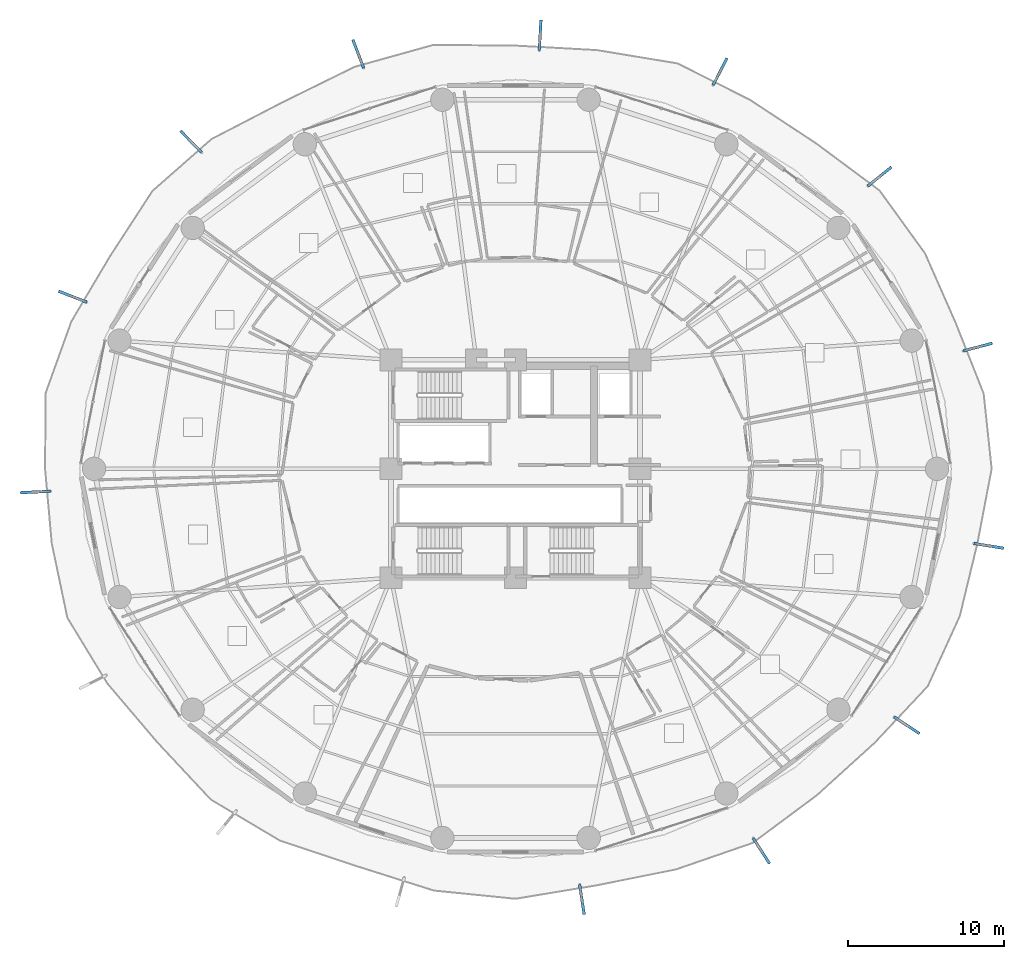
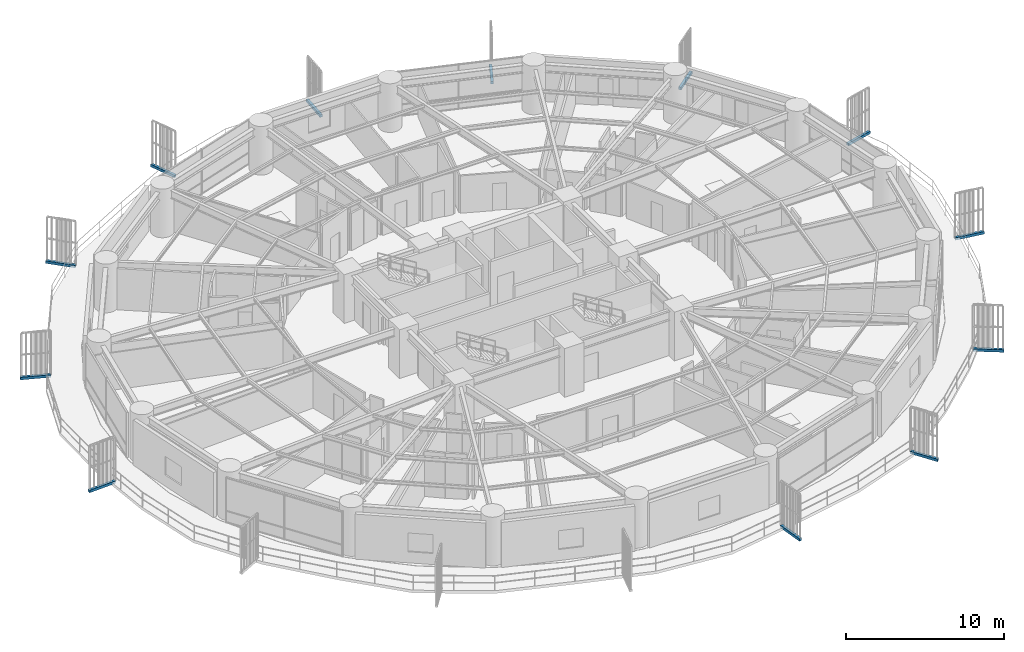
# One storey, part 28 of 33: 12 discrete accessories.
"""IFC4 building model written with IfcOpenShell, lengths in metres."""

import ifcopenshell
import ifcopenshell.guid

model = None  # the IFC model being written
_history = None  # IfcOwnerHistory: only IFC2X3 demands one
_inside = {}  # id of a spatial element -> (the spatial element, [elements in it])
_under = {}  # id of a project, library or spatial element -> (it, [spatial elements below it])
_declared = {}  # id of a project -> (the project, [libraries it declares])
_typed = {}  # id of a type object -> (the type object, [elements of that type])
_made_of = {}  # id of a material, layer set ... -> (it, [elements and type objects made of it])


def new_model(schema):
    """Start an empty IFC model of exactly this schema.

    Asked for "IFC4X3", IfcOpenShell would pick the latest addendum, in which some entities
    have other attributes; the version numbers below select the first issue.
    IFC2X3 requires an IfcOwnerHistory on every rooted entity: one is made here for all.
    """
    global model, _history
    if schema == "IFC4X3":
        model = ifcopenshell.file(schema_version=(4, 3, 0, 0))
    else:
        model = ifcopenshell.file(schema=schema)
    _inside.clear()
    _under.clear()
    _declared.clear()
    _typed.clear()
    _made_of.clear()
    _history = None
    if model.schema == "IFC2X3":
        org = make("IfcOrganization", Name="unknown")
        user = make(
            "IfcPersonAndOrganization",
            ThePerson=make("IfcPerson", FamilyName="unknown"),
            TheOrganization=org,
        )
        app = make(
            "IfcApplication",
            ApplicationDeveloper=org,
            Version="unknown",
            ApplicationFullName="unknown",
            ApplicationIdentifier="unknown",
        )
        _history = make(
            "IfcOwnerHistory",
            OwningUser=user,
            OwningApplication=app,
            ChangeAction="ADDED",
            CreationDate=0,
        )
    return model


def make(cls, **values):
    """One entity of the class cls with the attributes given. An attribute that is None is left unset."""
    return model.create_entity(
        cls, **{name: value for name, value in values.items() if value is not None}
    )


def rooted(cls, **values):
    """An entity with a GlobalId (a new one), such as an element, a storey or a relation."""
    return make(cls, GlobalId=ifcopenshell.guid.new(), OwnerHistory=_history, **values)


def si_unit(unit_type, name, prefix=None):
    """IfcSIUnit, for example si_unit("LENGTHUNIT", "METRE", prefix="MILLI")."""
    return make("IfcSIUnit", UnitType=unit_type, Prefix=prefix, Name=name)


def assignment(units):
    """IfcUnitAssignment: the units of a project."""
    return None if units is None else make("IfcUnitAssignment", Units=units)


def point(xyz):
    """IfcCartesianPoint."""
    return None if xyz is None else make("IfcCartesianPoint", Coordinates=xyz)


def direction(xyz):
    """IfcDirection."""
    return None if xyz is None else make("IfcDirection", DirectionRatios=xyz)


def frame(location, z_axis=None, x_axis=None):
    """IfcAxis2Placement3D, a coordinate frame: its origin and axes. An axis left out is left unset."""
    return make(
        "IfcAxis2Placement3D",
        Location=point(location),
        Axis=direction(z_axis),
        RefDirection=direction(x_axis),
    )


def frame_2d(location, x_axis=None):
    """IfcAxis2Placement2D, a coordinate frame in the plane: its origin and x axis."""
    return make(
        "IfcAxis2Placement2D", Location=point(location), RefDirection=direction(x_axis)
    )


def origin():
    """The frame at (0, 0, 0) with its axes left unset."""
    return frame((0.0, 0.0, 0.0))


def origin_2d():
    """The frame at (0, 0) in the plane with its x axis left unset."""
    return frame_2d((0.0, 0.0))


def place(relative_to, where):
    """IfcLocalPlacement: puts the frame where relative to a parent placement (None: the world)."""
    return make(
        "IfcLocalPlacement", PlacementRelTo=relative_to, RelativePlacement=where
    )


def context(
    kind, dimensions, precision=None, world=None, true_north=None, identifier=None
):
    """IfcGeometricRepresentationContext, for example the 3D "Model" context."""
    return make(
        "IfcGeometricRepresentationContext",
        ContextIdentifier=identifier,
        ContextType=kind,
        CoordinateSpaceDimension=dimensions,
        Precision=precision,
        WorldCoordinateSystem=world,
        TrueNorth=true_north,
    )


def subcontext(parent, identifier, kind, view, scale=None):
    """IfcGeometricRepresentationSubContext, for example "Body" below "Model"."""
    return make(
        "IfcGeometricRepresentationSubContext",
        ContextIdentifier=identifier,
        ContextType=kind,
        ParentContext=parent,
        TargetScale=scale,
        TargetView=view,
    )


def project(units=None, contexts=None):
    """IfcProject with its units and contexts."""
    return rooted(
        "IfcProject",
        Name="project",
        RepresentationContexts=contexts,
        UnitsInContext=assignment(units),
    )


def spatial(cls, under=None, at=None, **own):
    """A site, building, storey or space (cls), placed at a placement, below another one or the project."""
    s = rooted(cls, ObjectPlacement=at, **own)
    if under is not None:
        _under.setdefault(under.id(), (under, []))[1].append(s)
    return s


def profile(cls, at=None, kind="AREA", **sizes):
    """A parametric profile (cls). Its sizes go by their IFC names, for example OverallWidth=200.0."""
    return make(cls, ProfileType=kind, Position=at, **sizes)


def rectangle(**sizes):
    """IfcRectangleProfileDef."""
    return profile("IfcRectangleProfileDef", **sizes)


def extrude(swept, where, along, depth):
    """IfcExtrudedAreaSolid: the profile swept, set in the frame where, extruded along a direction by depth."""
    return make(
        "IfcExtrudedAreaSolid",
        SweptArea=swept,
        Position=where,
        ExtrudedDirection=direction(along),
        Depth=depth,
    )


def shape(context_of_items, identifier, shape_type, items):
    """IfcShapeRepresentation: the items that make up one representation, for example the "Body"."""
    return make(
        "IfcShapeRepresentation",
        ContextOfItems=context_of_items,
        RepresentationIdentifier=identifier,
        RepresentationType=shape_type,
        Items=items,
    )


def source(mapping_origin, context_of_items, identifier, shape_type, items):
    """IfcRepresentationMap: a shape defined once, which mapped items show again and again."""
    return make(
        "IfcRepresentationMap",
        MappingOrigin=mapping_origin,
        MappedRepresentation=shape(context_of_items, identifier, shape_type, items),
    )


def transform(
    local_origin,
    x_axis=None,
    y_axis=None,
    z_axis=None,
    scale=None,
    scale2=None,
    scale3=None,
    uniform=True,
):
    """IfcCartesianTransformationOperator3D, or its non-uniform kind. x_axis, y_axis, z_axis: its Axis1, 2, 3."""
    if uniform:
        return make(
            "IfcCartesianTransformationOperator3D",
            Axis1=direction(x_axis),
            Axis2=direction(y_axis),
            LocalOrigin=point(local_origin),
            Scale=scale,
            Axis3=direction(z_axis),
        )
    return make(
        "IfcCartesianTransformationOperator3DnonUniform",
        Axis1=direction(x_axis),
        Axis2=direction(y_axis),
        LocalOrigin=point(local_origin),
        Scale=scale,
        Axis3=direction(z_axis),
        Scale2=scale2,
        Scale3=scale3,
    )


def mapped(mapping_source, mapping_target):
    """IfcMappedItem: shows the shape of a source again, moved by a transform."""
    return make(
        "IfcMappedItem", MappingSource=mapping_source, MappingTarget=mapping_target
    )


def material(Name=None, Category=None):
    """IfcMaterial."""
    return make("IfcMaterial", Name=Name, Category=Category)


def made_of(thing, what):
    """Note that an element or type object is made of a material, layer set ...; save() writes the relation."""
    if what is not None:
        _made_of.setdefault(what.id(), (what, []))[1].append(thing)
    return thing


def type_object(cls, material=None, **own):
    """A type object (cls), such as IfcWallType, which elements share."""
    return made_of(rooted(cls, **own), material)


def element(
    cls,
    number,
    at=None,
    inside=None,
    cuts=None,
    type_object=None,
    material=None,
    context=None,
    identifier="Body",
    shape_type=None,
    held_by="IfcProductDefinitionShape",
    body=None,
    shapes=None,
    **own,
):
    """One element of the class cls, such as IfcWall. Its Tag is "e" and its number.

    at: its placement. inside: the storey or other place that contains it. cuts: it is an
    opening in that element (IfcRelVoidsElement). A single representation is given by context,
    identifier, shape_type and body (its items); several are given by shapes. held_by: the class
    of the entity that holds the representations. save() writes the other relations.
    """
    e = rooted(cls, Tag="e%d" % number, ObjectPlacement=at, **own)
    if body is not None:
        shapes = [shape(context, identifier, shape_type, body)]
    if shapes is not None:
        e.Representation = make(held_by, Representations=shapes)
    if inside is not None:
        _inside.setdefault(inside.id(), (inside, []))[1].append(e)
    if cuts is not None:
        rooted(
            "IfcRelVoidsElement", RelatingBuildingElement=cuts, RelatedOpeningElement=e
        )
    if type_object is not None:
        _typed.setdefault(type_object.id(), (type_object, []))[1].append(e)
    return made_of(e, material)


def aggregate(whole, parts):
    """IfcRelAggregates: a whole, such as a stair, and the parts it consists of."""
    return rooted("IfcRelAggregates", RelatingObject=whole, RelatedObjects=parts)


def save(model, path):
    """Write the relations noted so far, then the file.

    IfcRelAggregates (storeys below a building ...), IfcRelContainedInSpatialStructure (elements
    in a storey), IfcRelDefinesByType, IfcRelAssociatesMaterial and IfcRelDeclares: one each for
    every whole, place, type object, material and project.
    """
    for whole, parts in _under.values():
        aggregate(whole, parts)
    for where, things in _inside.values():
        rooted(
            "IfcRelContainedInSpatialStructure",
            RelatedElements=things,
            RelatingStructure=where,
        )
    for kind, things in _typed.values():
        rooted("IfcRelDefinesByType", RelatedObjects=things, RelatingType=kind)
    for what, things in _made_of.values():
        rooted("IfcRelAssociatesMaterial", RelatedObjects=things, RelatingMaterial=what)
    for by, libraries in _declared.values():
        rooted("IfcRelDeclares", RelatingContext=by, RelatedDefinitions=libraries)
    model.write(path)


model = new_model("IFC4")

# Units and contexts
model_context = context("Model", 3, precision=1e-05, world=origin(), true_north=direction((0.0, 1.0)))
body_context = subcontext(model_context, "Body", "Model", "MODEL_VIEW")
ifc_project = project(units=[si_unit("LENGTHUNIT", "METRE"), si_unit("AREAUNIT", "SQUARE_METRE"), si_unit("VOLUMEUNIT", "CUBIC_METRE"), si_unit("PLANEANGLEUNIT", "RADIAN"), si_unit("MASSUNIT", "GRAM", prefix="KILO")], contexts=[model_context])

# Site, building, storey
site_placement = place(None, origin())
site = spatial("IfcSite", under=ifc_project, at=site_placement, CompositionType="ELEMENT")
building_placement = place(site_placement, origin())
building = spatial("IfcBuilding", under=site, at=building_placement, Name="Kelanora Arch Commons", CompositionType="ELEMENT")
storey_placement = place(building_placement, frame((0.0, 0.0, 37.5)))
storey = spatial("IfcBuildingStorey", under=building, at=storey_placement, Name="L09", CompositionType="ELEMENT", Elevation=37.5)

# Discrete accessories
ifc_material = material(Name="Stainless steel 316 marine fin bracket", Category="steel")
discrete_accessory_type = type_object("IfcDiscreteAccessoryType", Name="ACC-FIN-BRK", PredefinedType="BRACKET", material=ifc_material)
shared_shape = source(origin(), body_context, "Body", "SweptSolid", [
    extrude(rectangle(XDim=1.93994140625, YDim=0.179931640625, at=origin_2d()), origin(), (0.0, 0.0, 1.0), 0.199951171875),
])
for number, where, z_axis, x_axis, name in (
    (1, (103.6953125, 65.822509765625, -0.16015625), (0.0, 0.0, 1.0), (0.967001487762, 0.254770725683, 0.0), "Sweeping Fin Cantilever Spine Bracket L09-00"),
    (2, (97.39501953125, 76.781982421875, -0.16015625), (0.0, 0.0, 1.0), (0.779775226961, 0.62605957817, 0.0), "Sweeping Fin Cantilever Spine Bracket L09-01"),
    (3, (87.136962890625, 83.515625, -0.16015625), (0.0, 0.0, 1.0), (0.457718745382, 0.889097042019, 0.0), "Sweeping Fin Cantilever Spine Bracket L09-02"),
    (4, (75.578125, 85.85888671875, -0.16015625), (0.0, 0.0, 1.0), (0.056518534482, 0.998401550109, 0.0), "Sweeping Fin Cantilever Spine Bracket L09-03"),
    (5, (63.8916015625, 84.66943359375, -0.16015625), (0.0, 0.0, 1.0), (-0.354454244484, 0.935073359992, 0.0), "Sweeping Fin Cantilever Spine Bracket L09-04"),
    (6, (53.150634765625, 79.026123046875, -0.16015625), (0.0, 0.0, 1.0), (-0.704138664464, 0.710062491058, 0.0), "Sweeping Fin Cantilever Spine Bracket L09-05"),
    (7, (45.544921875, 69.06103515625, -0.16015625), (0.0, 0.0, 1.0), (-0.932071112458, 0.362275366705, 0.0), "Sweeping Fin Cantilever Spine Bracket L09-06"),
    (8, (43.15087890625, 56.513916015625, -0.16015625), (0.0, 0.0, 1.0), (-0.998839997509, -0.04815245972, 0.0), "Sweeping Fin Cantilever Spine Bracket L09-07"),
    (9, (78.263916015625, 30.3232421875, -0.16015625), (0.0, 0.0, 1.0), (0.152295885498, -0.988334944875, 0.0), "Sweeping Fin Cantilever Spine Bracket L09-11"),
    (10, (89.795654296875, 33.45068359375, -0.16015625), (0.0, 0.0, 1.0), (0.541121252127, -0.840944582298, 0.0), "Sweeping Fin Cantilever Spine Bracket L09-12"),
    (11, (99.138671875, 41.5234375, -0.16015625), (0.0, 0.0, 1.0), (0.836381838331, -0.548147261701, 0.0), "Sweeping Fin Cantilever Spine Bracket L09-13"),
    (12, (104.404296875, 53.052734375, -0.16015625), (0.0, 0.0, 1.0), (0.987024406397, -0.160570299793, 0.0), "Sweeping Fin Cantilever Spine Bracket L09-14"),
):
    element("IfcDiscreteAccessory", number, at=place(storey_placement, frame(where, z_axis=z_axis, x_axis=x_axis)), inside=storey, type_object=discrete_accessory_type, Name=name, PredefinedType="BRACKET", context=body_context, shape_type="MappedRepresentation", body=[
        mapped(shared_shape, transform((0.0, 0.0, 0.0), scale=1.0)),
    ])

save(model, "model.ifc")
